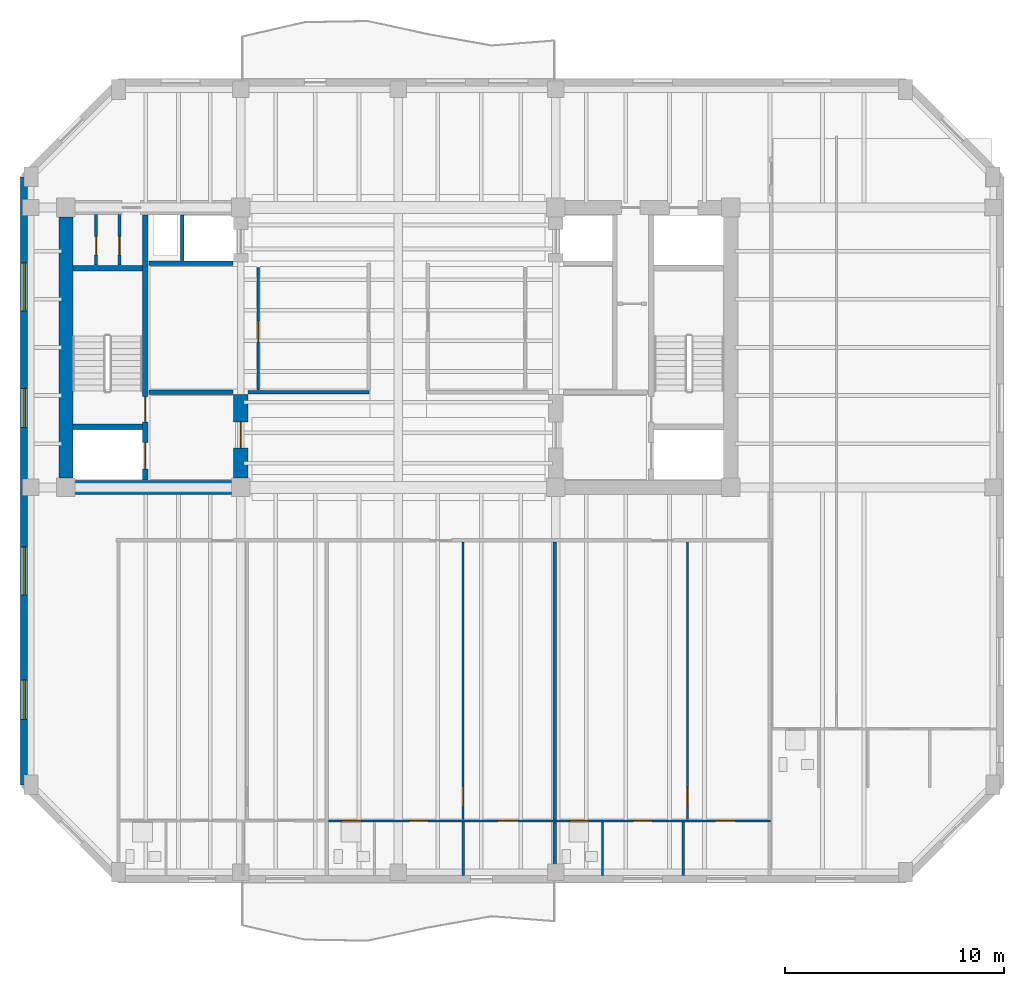
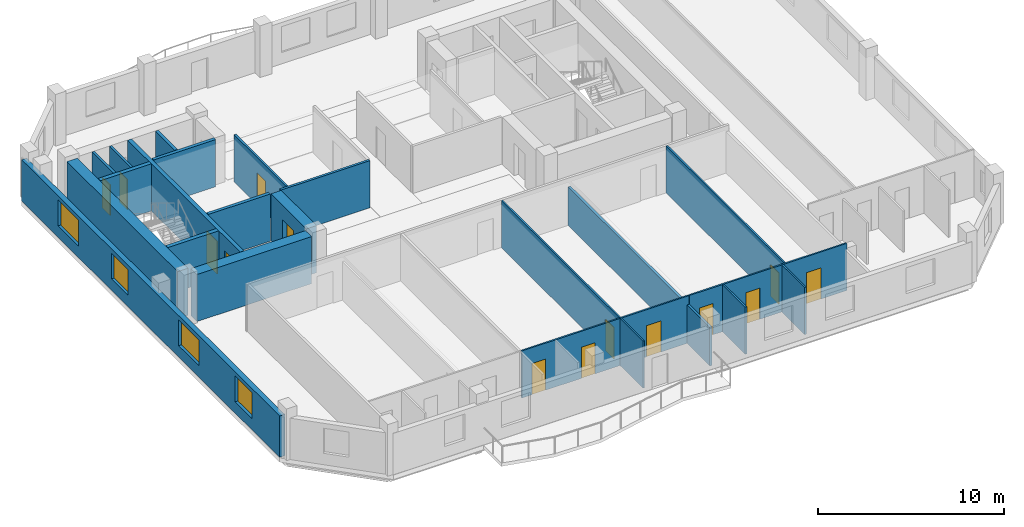
# One storey, part 3 of 9: 22 walls, 14 doors, 4 windows, 18 openings.
"""IFC4 building model written with IfcOpenShell, lengths in metres."""

import ifcopenshell
import ifcopenshell.guid

model = None  # the IFC model being written
_history = None  # IfcOwnerHistory: only IFC2X3 demands one
_inside = {}  # id of a spatial element -> (the spatial element, [elements in it])
_under = {}  # id of a project, library or spatial element -> (it, [spatial elements below it])
_declared = {}  # id of a project -> (the project, [libraries it declares])
_typed = {}  # id of a type object -> (the type object, [elements of that type])
_made_of = {}  # id of a material, layer set ... -> (it, [elements and type objects made of it])


def new_model(schema):
    """Start an empty IFC model of exactly this schema.

    Asked for "IFC4X3", IfcOpenShell would pick the latest addendum, in which some entities
    have other attributes; the version numbers below select the first issue.
    IFC2X3 requires an IfcOwnerHistory on every rooted entity: one is made here for all.
    """
    global model, _history
    if schema == "IFC4X3":
        model = ifcopenshell.file(schema_version=(4, 3, 0, 0))
    else:
        model = ifcopenshell.file(schema=schema)
    _inside.clear()
    _under.clear()
    _declared.clear()
    _typed.clear()
    _made_of.clear()
    _history = None
    if model.schema == "IFC2X3":
        org = make("IfcOrganization", Name="unknown")
        user = make(
            "IfcPersonAndOrganization",
            ThePerson=make("IfcPerson", FamilyName="unknown"),
            TheOrganization=org,
        )
        app = make(
            "IfcApplication",
            ApplicationDeveloper=org,
            Version="unknown",
            ApplicationFullName="unknown",
            ApplicationIdentifier="unknown",
        )
        _history = make(
            "IfcOwnerHistory",
            OwningUser=user,
            OwningApplication=app,
            ChangeAction="ADDED",
            CreationDate=0,
        )
    return model


def make(cls, **values):
    """One entity of the class cls with the attributes given. An attribute that is None is left unset."""
    return model.create_entity(
        cls, **{name: value for name, value in values.items() if value is not None}
    )


def rooted(cls, **values):
    """An entity with a GlobalId (a new one), such as an element, a storey or a relation."""
    return make(cls, GlobalId=ifcopenshell.guid.new(), OwnerHistory=_history, **values)


def si_unit(unit_type, name, prefix=None):
    """IfcSIUnit, for example si_unit("LENGTHUNIT", "METRE", prefix="MILLI")."""
    return make("IfcSIUnit", UnitType=unit_type, Prefix=prefix, Name=name)


def assignment(units):
    """IfcUnitAssignment: the units of a project."""
    return None if units is None else make("IfcUnitAssignment", Units=units)


def point(xyz):
    """IfcCartesianPoint."""
    return None if xyz is None else make("IfcCartesianPoint", Coordinates=xyz)


def direction(xyz):
    """IfcDirection."""
    return None if xyz is None else make("IfcDirection", DirectionRatios=xyz)


def frame(location, z_axis=None, x_axis=None):
    """IfcAxis2Placement3D, a coordinate frame: its origin and axes. An axis left out is left unset."""
    return make(
        "IfcAxis2Placement3D",
        Location=point(location),
        Axis=direction(z_axis),
        RefDirection=direction(x_axis),
    )


def frame_2d(location, x_axis=None):
    """IfcAxis2Placement2D, a coordinate frame in the plane: its origin and x axis."""
    return make(
        "IfcAxis2Placement2D", Location=point(location), RefDirection=direction(x_axis)
    )


def origin():
    """The frame at (0, 0, 0) with its axes left unset."""
    return frame((0.0, 0.0, 0.0))


def place(relative_to, where):
    """IfcLocalPlacement: puts the frame where relative to a parent placement (None: the world)."""
    return make(
        "IfcLocalPlacement", PlacementRelTo=relative_to, RelativePlacement=where
    )


def context(
    kind, dimensions, precision=None, world=None, true_north=None, identifier=None
):
    """IfcGeometricRepresentationContext, for example the 3D "Model" context."""
    return make(
        "IfcGeometricRepresentationContext",
        ContextIdentifier=identifier,
        ContextType=kind,
        CoordinateSpaceDimension=dimensions,
        Precision=precision,
        WorldCoordinateSystem=world,
        TrueNorth=true_north,
    )


def subcontext(parent, identifier, kind, view, scale=None):
    """IfcGeometricRepresentationSubContext, for example "Body" below "Model"."""
    return make(
        "IfcGeometricRepresentationSubContext",
        ContextIdentifier=identifier,
        ContextType=kind,
        ParentContext=parent,
        TargetScale=scale,
        TargetView=view,
    )


def project(units=None, contexts=None):
    """IfcProject with its units and contexts."""
    return rooted(
        "IfcProject",
        Name="project",
        RepresentationContexts=contexts,
        UnitsInContext=assignment(units),
    )


def spatial(cls, under=None, at=None, **own):
    """A site, building, storey or space (cls), placed at a placement, below another one or the project."""
    s = rooted(cls, ObjectPlacement=at, **own)
    if under is not None:
        _under.setdefault(under.id(), (under, []))[1].append(s)
    return s


def profile(cls, at=None, kind="AREA", **sizes):
    """A parametric profile (cls). Its sizes go by their IFC names, for example OverallWidth=200.0."""
    return make(cls, ProfileType=kind, Position=at, **sizes)


def rectangle(**sizes):
    """IfcRectangleProfileDef."""
    return profile("IfcRectangleProfileDef", **sizes)


def extrude(swept, where, along, depth):
    """IfcExtrudedAreaSolid: the profile swept, set in the frame where, extruded along a direction by depth."""
    return make(
        "IfcExtrudedAreaSolid",
        SweptArea=swept,
        Position=where,
        ExtrudedDirection=direction(along),
        Depth=depth,
    )


def shape(context_of_items, identifier, shape_type, items):
    """IfcShapeRepresentation: the items that make up one representation, for example the "Body"."""
    return make(
        "IfcShapeRepresentation",
        ContextOfItems=context_of_items,
        RepresentationIdentifier=identifier,
        RepresentationType=shape_type,
        Items=items,
    )


def material(Name=None, Category=None):
    """IfcMaterial."""
    return make("IfcMaterial", Name=Name, Category=Category)


def layer(
    of_material, thickness, ventilated=None, Name=None, Category=None, Priority=None
):
    """IfcMaterialLayer: one layer of a wall or slab, of a material (None: an air gap)."""
    return make(
        "IfcMaterialLayer",
        Material=of_material,
        LayerThickness=thickness,
        IsVentilated=ventilated,
        Name=Name,
        Category=Category,
        Priority=Priority,
    )


def layer_set(layers, Name=None):
    """IfcMaterialLayerSet."""
    return make("IfcMaterialLayerSet", MaterialLayers=layers, LayerSetName=Name)


def made_of(thing, what):
    """Note that an element or type object is made of a material, layer set ...; save() writes the relation."""
    if what is not None:
        _made_of.setdefault(what.id(), (what, []))[1].append(thing)
    return thing


def type_object(cls, material=None, **own):
    """A type object (cls), such as IfcWallType, which elements share."""
    return made_of(rooted(cls, **own), material)


def element(
    cls,
    number,
    at=None,
    inside=None,
    cuts=None,
    type_object=None,
    material=None,
    context=None,
    identifier="Body",
    shape_type=None,
    held_by="IfcProductDefinitionShape",
    body=None,
    shapes=None,
    **own,
):
    """One element of the class cls, such as IfcWall. Its Tag is "e" and its number.

    at: its placement. inside: the storey or other place that contains it. cuts: it is an
    opening in that element (IfcRelVoidsElement). A single representation is given by context,
    identifier, shape_type and body (its items); several are given by shapes. held_by: the class
    of the entity that holds the representations. save() writes the other relations.
    """
    e = rooted(cls, Tag="e%d" % number, ObjectPlacement=at, **own)
    if body is not None:
        shapes = [shape(context, identifier, shape_type, body)]
    if shapes is not None:
        e.Representation = make(held_by, Representations=shapes)
    if inside is not None:
        _inside.setdefault(inside.id(), (inside, []))[1].append(e)
    if cuts is not None:
        rooted(
            "IfcRelVoidsElement", RelatingBuildingElement=cuts, RelatedOpeningElement=e
        )
    if type_object is not None:
        _typed.setdefault(type_object.id(), (type_object, []))[1].append(e)
    return made_of(e, material)


def fill(opening, filler):
    """IfcRelFillsElement: the door or window that sits in an opening."""
    return rooted(
        "IfcRelFillsElement",
        RelatingOpeningElement=opening,
        RelatedBuildingElement=filler,
    )


def aggregate(whole, parts):
    """IfcRelAggregates: a whole, such as a stair, and the parts it consists of."""
    return rooted("IfcRelAggregates", RelatingObject=whole, RelatedObjects=parts)


def save(model, path):
    """Write the relations noted so far, then the file.

    IfcRelAggregates (storeys below a building ...), IfcRelContainedInSpatialStructure (elements
    in a storey), IfcRelDefinesByType, IfcRelAssociatesMaterial and IfcRelDeclares: one each for
    every whole, place, type object, material and project.
    """
    for whole, parts in _under.values():
        aggregate(whole, parts)
    for where, things in _inside.values():
        rooted(
            "IfcRelContainedInSpatialStructure",
            RelatedElements=things,
            RelatingStructure=where,
        )
    for kind, things in _typed.values():
        rooted("IfcRelDefinesByType", RelatedObjects=things, RelatingType=kind)
    for what, things in _made_of.values():
        rooted("IfcRelAssociatesMaterial", RelatedObjects=things, RelatingMaterial=what)
    for by, libraries in _declared.values():
        rooted("IfcRelDeclares", RelatingContext=by, RelatedDefinitions=libraries)
    model.write(path)


model = new_model("IFC4")

# Units and contexts
model_context = context("Model", 3, precision=1e-05, world=origin(), true_north=direction((0.0, 1.0)))
body_context = subcontext(model_context, "Body", "Model", "MODEL_VIEW")
ifc_project = project(units=[si_unit("LENGTHUNIT", "METRE"), si_unit("AREAUNIT", "SQUARE_METRE"), si_unit("VOLUMEUNIT", "CUBIC_METRE"), si_unit("PLANEANGLEUNIT", "RADIAN"), si_unit("MASSUNIT", "GRAM", prefix="KILO")], contexts=[model_context])

# Site, building, storey
site_placement = place(None, origin())
site = spatial("IfcSite", under=ifc_project, at=site_placement, CompositionType="ELEMENT")
building_placement = place(site_placement, origin())
building = spatial("IfcBuilding", under=site, at=building_placement, Name="Kranthara Brick Stack", CompositionType="ELEMENT")
storey_placement = place(building_placement, frame((0.0, 0.0, 231.300048828125)))
storey = spatial("IfcBuildingStorey", under=building, at=storey_placement, Name="L60", CompositionType="ELEMENT", Elevation=231.300048828125)

# Wall, openings, windows
ifc_material_1 = material(Name="Warm buff clay brick masonry M15", Category="masonry")
ifc_layer_1 = layer(ifc_material_1, 0.320068359375)
ifc_layer_set_1 = layer_set([ifc_layer_1], Name="Warm buff clay brick masonry M15")
wall_type_1 = type_object("IfcWallType", Name="WL-BRK-UPPR-320", PredefinedType="STANDARD", material=ifc_layer_set_1)
wall_1_placement = place(storey_placement, frame((10.8798828125, 7.199951171875, 0.0), z_axis=(0.0, 0.0, 1.0), x_axis=(0.0, 1.0, 0.0)))
wall_1 = element("IfcWall", 1, at=wall_1_placement, inside=storey, type_object=wall_type_1, Name="L60 Exterior Brick Facade Wall WEST 1", PredefinedType="STANDARD", context=body_context, shape_type="SweptSolid", body=[
    extrude(rectangle(XDim=27.800048828125, YDim=0.320068359375, at=frame_2d((13.89990234375, 0.0))), origin(), (0.0, 0.0, 1.0), 2.724853515625),
])
opening_1_placement = place(wall_1_placement, frame((2.991943359375, 0.0, 0.75)))
opening_1 = element("IfcOpeningElement", 2, at=opening_1_placement, cuts=wall_1, Name="Opening WN07", PredefinedType="OPENING", context=body_context, shape_type="SweptSolid", body=[
    extrude(rectangle(XDim=1.800048828125, YDim=1.699951171875, at=frame_2d((0.89990234375, 0.85009765625))), frame((0.0, 0.169921875, 0.0), z_axis=(0.0, -1.0, 0.0), x_axis=(1.0, 0.0, 0.0)), (0.0, 0.0, 1.0), 0.340087890625),
])
opening_2_placement = place(wall_1_placement, frame((8.68408203125, 0.0, 0.75)))
opening_2 = element("IfcOpeningElement", 3, at=opening_2_placement, cuts=wall_1, Name="Opening WN08", PredefinedType="OPENING", context=body_context, shape_type="SweptSolid", body=[
    extrude(rectangle(XDim=2.199951171875, YDim=1.699951171875, at=frame_2d((1.10009765625, 0.85009765625))), frame((0.0, 0.169921875, 0.0), z_axis=(0.0, -1.0, 0.0), x_axis=(1.0, 0.0, 0.0)), (0.0, 0.0, 1.0), 0.340087890625),
])
opening_3_placement = place(wall_1_placement, frame((16.327880859375, 0.0, 0.75)))
opening_3 = element("IfcOpeningElement", 4, at=opening_3_placement, cuts=wall_1, Name="Opening WN07", PredefinedType="OPENING", context=body_context, shape_type="SweptSolid", body=[
    extrude(rectangle(XDim=1.800048828125, YDim=1.699951171875, at=frame_2d((0.89990234375, 0.85009765625))), frame((0.0, 0.169921875, 0.0), z_axis=(0.0, -1.0, 0.0), x_axis=(1.0, 0.0, 0.0)), (0.0, 0.0, 1.0), 0.340087890625),
])
opening_4_placement = place(wall_1_placement, frame((21.672119140625, 0.0, 0.75)))
opening_4 = element("IfcOpeningElement", 5, at=opening_4_placement, cuts=wall_1, Name="Opening WN08", PredefinedType="OPENING", context=body_context, shape_type="SweptSolid", body=[
    extrude(rectangle(XDim=2.199951171875, YDim=1.699951171875, at=frame_2d((1.10009765625, 0.85009765625))), frame((0.0, 0.169921875, 0.0), z_axis=(0.0, -1.0, 0.0), x_axis=(1.0, 0.0, 0.0)), (0.0, 0.0, 1.0), 0.340087890625),
])
ifc_material_2 = material(Name="Double-glazed low-E solar control glass", Category="glass")
window_type_1 = type_object("IfcWindowType", Name="WN-RES-1800x1850", PartitioningType="DOUBLE_PANEL_VERTICAL", PredefinedType="WINDOW", material=ifc_material_2)
window_1_placement = place(opening_1_placement, origin())
window_1 = element("IfcWindow", 6, at=window_1_placement, inside=storey, type_object=window_type_1, Name="L60 West Deep-Set Brick Window 01", OverallHeight=1.699951171875, OverallWidth=1.800048828125, PartitioningType="SINGLE_PANEL", PredefinedType="WINDOW", context=body_context, shape_type="SweptSolid", body=[
    extrude(rectangle(XDim=1.800048828125, YDim=1.699951171875, at=frame_2d((0.89990234375, 0.85009765625))), frame((0.0, -0.010009765625, 0.0), z_axis=(0.0, -1.0, 0.0), x_axis=(1.0, 0.0, 0.0)), (0.0, 0.0, 1.0), 0.06005859375),
])
fill(opening_1, window_1)
window_2_placement = place(opening_3_placement, origin())
window_2 = element("IfcWindow", 7, at=window_2_placement, inside=storey, type_object=window_type_1, Name="L60 West Deep-Set Brick Window 03", OverallHeight=1.699951171875, OverallWidth=1.800048828125, PartitioningType="SINGLE_PANEL", PredefinedType="WINDOW", context=body_context, shape_type="SweptSolid", body=[
    extrude(rectangle(XDim=1.800048828125, YDim=1.699951171875, at=frame_2d((0.89990234375, 0.85009765625))), frame((0.0, -0.010009765625, 0.0), z_axis=(0.0, -1.0, 0.0), x_axis=(1.0, 0.0, 0.0)), (0.0, 0.0, 1.0), 0.06005859375),
])
fill(opening_3, window_2)
ifc_material_3 = material(Name="Double-glazed low-E solar control glass", Category="glass")
window_type_2 = type_object("IfcWindowType", Name="WN-RES-2200x1850", PartitioningType="TRIPLE_PANEL_VERTICAL", PredefinedType="WINDOW", material=ifc_material_3)
window_3_placement = place(opening_2_placement, origin())
window_3 = element("IfcWindow", 8, at=window_3_placement, inside=storey, type_object=window_type_2, Name="L60 West Deep-Set Brick Window 02", OverallHeight=1.699951171875, OverallWidth=2.199951171875, PartitioningType="SINGLE_PANEL", PredefinedType="WINDOW", context=body_context, shape_type="SweptSolid", body=[
    extrude(rectangle(XDim=2.199951171875, YDim=1.699951171875, at=frame_2d((1.10009765625, 0.85009765625))), frame((0.0, -0.010009765625, 0.0), z_axis=(0.0, -1.0, 0.0), x_axis=(1.0, 0.0, 0.0)), (0.0, 0.0, 1.0), 0.06005859375),
])
fill(opening_2, window_3)
window_4_placement = place(opening_4_placement, origin())
window_4 = element("IfcWindow", 9, at=window_4_placement, inside=storey, type_object=window_type_2, Name="L60 West Deep-Set Brick Window 04", OverallHeight=1.699951171875, OverallWidth=2.199951171875, PartitioningType="SINGLE_PANEL", PredefinedType="WINDOW", context=body_context, shape_type="SweptSolid", body=[
    extrude(rectangle(XDim=2.199951171875, YDim=1.699951171875, at=frame_2d((1.10009765625, 0.85009765625))), frame((0.0, -0.010009765625, 0.0), z_axis=(0.0, -1.0, 0.0), x_axis=(1.0, 0.0, 0.0)), (0.0, 0.0, 1.0), 0.06005859375),
])
fill(opening_4, window_4)

# Wall, openings, doors
ifc_material_4 = material(Name="Concrete C50/60", Category="concrete")
ifc_layer_2 = layer(ifc_material_4, 0.25)
ifc_layer_set_2 = layer_set([ifc_layer_2], Name="Concrete C50/60")
wall_type_2 = type_object("IfcWallType", Name="WL-CORE-250", PredefinedType="SHEAR", material=ifc_layer_set_2)
wall_2_placement = place(storey_placement, frame((16.43505859375, 21.135009765625, 0.0), z_axis=(0.0, 0.0, 1.0), x_axis=(0.0, 1.0, 0.0)))
wall_2 = element("IfcWall", 10, at=wall_2_placement, inside=storey, type_object=wall_type_2, Name="L60 West Core Stair Bearing Spine Wall", PredefinedType="SHEAR", context=body_context, shape_type="SweptSolid", body=[
    extrude(rectangle(XDim=12.1298828125, YDim=0.25, at=frame_2d((6.06494140625, 0.0))), origin(), (0.0, 0.0, 1.0), 3.099853515625),
])
opening_5_placement = place(wall_2_placement, frame((0.514892578125, 0.0, 0.0)))
opening_5 = element("IfcOpeningElement", 11, at=opening_5_placement, cuts=wall_2, Name="Opening LD01", PredefinedType="OPENING", context=body_context, shape_type="SweptSolid", body=[
    extrude(rectangle(XDim=1.199951171875, YDim=2.14990234375, at=frame_2d((0.60009765625, 1.074951171875))), frame((0.0, 0.135009765625, 0.0), z_axis=(0.0, -1.0, 0.0), x_axis=(1.0, 0.0, 0.0)), (0.0, 0.0, 1.0), 0.27001953125),
])
opening_6_placement = place(wall_2_placement, frame((2.6650390625, 0.0, 0.0)))
opening_6 = element("IfcOpeningElement", 12, at=opening_6_placement, cuts=wall_2, Name="Opening D05", PredefinedType="OPENING", context=body_context, shape_type="SweptSolid", body=[
    extrude(rectangle(XDim=1.14990234375, YDim=2.14990234375, at=frame_2d((0.574951171875, 1.074951171875))), frame((0.0, 0.135009765625, 0.0), z_axis=(0.0, -1.0, 0.0), x_axis=(1.0, 0.0, 0.0)), (0.0, 0.0, 1.0), 0.27001953125),
])
ifc_material_5 = material(Name="Stainless steel sliding landing door", Category="steel")
door_type_1 = type_object("IfcDoorType", Name="DR-LD-FF1200", OperationType="DOUBLE_DOOR_SLIDING", PredefinedType="DOOR", material=ifc_material_5)
door_1_placement = place(opening_5_placement, origin())
door_1 = element("IfcDoor", 13, at=door_1_placement, inside=storey, type_object=door_type_1, Name="L60 Firefighting Lift FF-01 Landing Door", OperationType="DOUBLE_DOOR_SLIDING", OverallHeight=2.14990234375, OverallWidth=1.199951171875, PredefinedType="DOOR", context=body_context, shape_type="SweptSolid", body=[
    extrude(rectangle(XDim=1.199951171875, YDim=2.14990234375, at=frame_2d((0.60009765625, 1.074951171875))), frame((0.0, 0.02490234375, 0.0), z_axis=(0.0, -1.0, 0.0), x_axis=(1.0, 0.0, 0.0)), (0.0, 0.0, 1.0), 0.050048828125),
])
fill(opening_5, door_1)
ifc_material_6 = material(Name="Solid-core hardwood timber leaf in steel frame", Category="steel")
door_type_2 = type_object("IfcDoorType", Name="DR-ST-1150", OperationType="NOTDEFINED", PredefinedType="DOOR", material=ifc_material_6)
door_2_placement = place(opening_6_placement, origin())
door_2 = element("IfcDoor", 14, at=door_2_placement, inside=storey, type_object=door_type_2, Name="L60 Exit Stair ST01 Door", OperationType="SINGLE_SWING_RIGHT", OverallHeight=2.14990234375, OverallWidth=1.14990234375, PredefinedType="DOOR", context=body_context, shape_type="SweptSolid", body=[
    extrude(rectangle(XDim=1.14990234375, YDim=2.14990234375, at=frame_2d((0.574951171875, 1.074951171875))), frame((0.0, 0.02490234375, 0.0), z_axis=(0.0, -1.0, 0.0), x_axis=(1.0, 0.0, 0.0)), (0.0, 0.0, 1.0), 0.050048828125),
])
fill(opening_6, door_2)

# Walls
for number, where, z_axis, x_axis, name in (
    (15, (13.135009765625, 23.570068359375, 0.0), (0.0, 0.0, 1.0), (1.0, 0.0, 0.0), "L60 West Stairwell Bearing Wall WFF"),
    (16, (13.135009765625, 30.830078125, 0.0), (0.0, 0.0, 1.0), (1.0, 0.0, 0.0), "L60 West Stairwell Bearing Wall WST"),
):
    element("IfcWall", number, at=place(storey_placement, frame(where, z_axis=z_axis, x_axis=x_axis)), inside=storey, type_object=wall_type_2, Name=name, PredefinedType="SHEAR", context=body_context, shape_type="SweptSolid", body=[
        extrude(rectangle(XDim=3.175048828125, YDim=0.25, at=frame_2d((1.58740234375, 0.0))), origin(), (0.0, 0.0, 1.0), 3.099853515625),
    ])
ifc_material_7 = material(Name="Concrete C60/75", Category="concrete")
ifc_layer_3 = layer(ifc_material_7, 0.64990234375)
ifc_layer_set_3 = layer_set([ifc_layer_3], Name="Concrete C60/75")
wall_type_3 = type_object("IfcWallType", Name="WL-CORE-650", PredefinedType="SHEAR", material=ifc_layer_set_3)
wall_3_placement = place(storey_placement, frame((12.800048828125, 21.22998046875, 0.0), z_axis=(0.0, 0.0, 1.0), x_axis=(0.0, 1.0, 0.0)))
element("IfcWall", 17, at=wall_3_placement, inside=storey, type_object=wall_type_3, Name="L60 West Core Shear Wall West", PredefinedType="SHEAR", context=body_context, shape_type="SweptSolid", body=[
    extrude(rectangle(XDim=11.93994140625, YDim=0.64990234375, at=frame_2d((5.969970703125, 0.0))), origin(), (0.0, 0.0, 1.0), 3.099853515625),
])
wall_4_placement = place(storey_placement, frame((13.22998046875, 20.800048828125, 0.0), z_axis=(0.0, 0.0, 1.0), x_axis=(1.0, 0.0, 0.0)))
element("IfcWall", 18, at=wall_4_placement, inside=storey, type_object=wall_type_3, Name="L60 West Core Shear Wall South", PredefinedType="SHEAR", context=body_context, shape_type="SweptSolid", body=[
    extrude(rectangle(XDim=7.14013671875, YDim=0.64990234375, at=frame_2d((3.570068359375, 0.0))), origin(), (0.0, 0.0, 1.0), 3.099853515625),
])

# Wall, opening, door
wall_5_placement = place(storey_placement, frame((20.800048828125, 21.22998046875, 0.0), z_axis=(0.0, 0.0, 1.0), x_axis=(0.0, 1.0, 0.0)))
wall_5 = element("IfcWall", 19, at=wall_5_placement, inside=storey, type_object=wall_type_3, Name="L60 West Core Lobby Shear Wall", PredefinedType="SHEAR", context=body_context, shape_type="SweptSolid", body=[
    extrude(rectangle(XDim=3.820068359375, YDim=0.64990234375, at=frame_2d((1.91015625, 0.0))), origin(), (0.0, 0.0, 1.0), 3.099853515625),
])
opening_7_placement = place(wall_5_placement, frame((1.3701171875, 0.0, 0.0)))
opening_7 = element("IfcOpeningElement", 20, at=opening_7_placement, cuts=wall_5, Name="Opening D06", PredefinedType="OPENING", context=body_context, shape_type="SweptSolid", body=[
    extrude(rectangle(XDim=1.199951171875, YDim=2.14990234375, at=frame_2d((0.60009765625, 1.074951171875))), frame((0.0, 0.3349609375, 0.0), z_axis=(0.0, -1.0, 0.0), x_axis=(1.0, 0.0, 0.0)), (0.0, 0.0, 1.0), 0.669921875),
])
ifc_material_8 = material(Name="Solid-core hardwood timber leaf in steel frame", Category="steel")
door_type_3 = type_object("IfcDoorType", Name="DR-FFL-1200", OperationType="NOTDEFINED", PredefinedType="DOOR", material=ifc_material_8)
door_3_placement = place(opening_7_placement, origin())
door_3 = element("IfcDoor", 21, at=door_3_placement, inside=storey, type_object=door_type_3, Name="L60 West Firefighting Lobby Door", OperationType="SINGLE_SWING_LEFT", OverallHeight=2.14990234375, OverallWidth=1.199951171875, PredefinedType="DOOR", context=body_context, shape_type="SweptSolid", body=[
    extrude(rectangle(XDim=1.199951171875, YDim=2.14990234375, at=frame_2d((0.60009765625, 1.074951171875))), frame((0.0, 0.02490234375, 0.0), z_axis=(0.0, -1.0, 0.0), x_axis=(1.0, 0.0, 0.0)), (0.0, 0.0, 1.0), 0.050048828125),
])
fill(opening_7, door_3)

# Wall, openings, doors
ifc_material_9 = material(Name="Moisture-resistant wet-room partition", Category="other")
ifc_layer_4 = layer(ifc_material_9, 0.10009765625)
ifc_layer_set_4 = layer_set([ifc_layer_4], Name="Moisture-resistant wet-room partition")
wall_type_4 = type_object("IfcWallType", Name="WL-PART-100", PredefinedType="PARTITIONING", material=ifc_layer_set_4)
wall_6_placement = place(storey_placement, frame((24.81005859375, 5.550048828125, 0.0), z_axis=(0.0, 0.0, 1.0), x_axis=(1.0, 0.0, 0.0)))
wall_6 = element("IfcWall", 22, at=wall_6_placement, inside=storey, type_object=wall_type_4, Name="L60 Interior Partition 017", PredefinedType="PARTITIONING", context=body_context, shape_type="SweptSolid", body=[
    extrude(rectangle(XDim=10.383056640625, YDim=0.10009765625, at=frame_2d((5.19140625, 0.0))), origin(), (0.0, 0.0, 1.0), 3.099853515625),
])
opening_8_placement = place(wall_6_placement, frame((0.625, 0.0, 0.0)))
opening_8 = element("IfcOpeningElement", 23, at=opening_8_placement, cuts=wall_6, Name="Opening D17", PredefinedType="OPENING", context=body_context, shape_type="SweptSolid", body=[
    extrude(rectangle(XDim=0.85009765625, YDim=2.050048828125, at=frame_2d((0.425048828125, 1.02490234375))), frame((0.0, 0.06005859375, 0.0), z_axis=(0.0, -1.0, 0.0), x_axis=(1.0, 0.0, 0.0)), (0.0, 0.0, 1.0), 0.1201171875),
])
opening_9_placement = place(wall_6_placement, frame((3.7041015625, 0.0, 0.0)))
opening_9 = element("IfcOpeningElement", 24, at=opening_9_placement, cuts=wall_6, Name="Opening D16", PredefinedType="OPENING", context=body_context, shape_type="SweptSolid", body=[
    extrude(rectangle(XDim=0.85009765625, YDim=2.050048828125, at=frame_2d((0.425048828125, 1.02490234375))), frame((0.0, 0.06005859375, 0.0), z_axis=(0.0, -1.0, 0.0), x_axis=(1.0, 0.0, 0.0)), (0.0, 0.0, 1.0), 0.1201171875),
])
opening_10_placement = place(wall_6_placement, frame((7.760986328125, 0.0, 0.0)))
opening_10 = element("IfcOpeningElement", 25, at=opening_10_placement, cuts=wall_6, Name="Opening D15", PredefinedType="OPENING", context=body_context, shape_type="SweptSolid", body=[
    extrude(rectangle(XDim=0.89990234375, YDim=2.050048828125, at=frame_2d((0.449951171875, 1.02490234375))), frame((0.0, 0.06005859375, 0.0), z_axis=(0.0, -1.0, 0.0), x_axis=(1.0, 0.0, 0.0)), (0.0, 0.0, 1.0), 0.1201171875),
])
ifc_material_10 = material(Name="Solid-core hardwood timber leaf in steel frame", Category="steel")
door_type_4 = type_object("IfcDoorType", Name="DR-INT-850", OperationType="NOTDEFINED", PredefinedType="DOOR", material=ifc_material_10)
door_4_placement = place(opening_9_placement, origin())
door_4 = element("IfcDoor", 26, at=door_4_placement, inside=storey, type_object=door_type_4, Name="L60 Unit L60B Kitchen 16", OperationType="SINGLE_SWING_RIGHT", OverallHeight=2.050048828125, OverallWidth=0.85009765625, PredefinedType="DOOR", context=body_context, shape_type="SweptSolid", body=[
    extrude(rectangle(XDim=0.85009765625, YDim=2.050048828125, at=frame_2d((0.425048828125, 1.02490234375))), frame((0.0, 0.02490234375, 0.0), z_axis=(0.0, -1.0, 0.0), x_axis=(1.0, 0.0, 0.0)), (0.0, 0.0, 1.0), 0.050048828125),
])
fill(opening_9, door_4)
ifc_material_11 = material(Name="Solid-core hardwood timber leaf in steel frame", Category="steel")
door_type_5 = type_object("IfcDoorType", Name="DR-INT-900", OperationType="NOTDEFINED", PredefinedType="DOOR", material=ifc_material_11)
door_5_placement = place(opening_10_placement, origin())
door_5 = element("IfcDoor", 27, at=door_5_placement, inside=storey, type_object=door_type_5, Name="L60 Unit L60B Bedroom 17", OperationType="SINGLE_SWING_LEFT", OverallHeight=2.050048828125, OverallWidth=0.89990234375, PredefinedType="DOOR", context=body_context, shape_type="SweptSolid", body=[
    extrude(rectangle(XDim=0.89990234375, YDim=2.050048828125, at=frame_2d((0.449951171875, 1.02490234375))), frame((0.0, 0.02490234375, 0.0), z_axis=(0.0, -1.0, 0.0), x_axis=(1.0, 0.0, 0.0)), (0.0, 0.0, 1.0), 0.050048828125),
])
fill(opening_10, door_5)
ifc_material_12 = material(Name="Solid-core hardwood timber leaf in steel frame", Category="steel")
door_type_6 = type_object("IfcDoorType", Name="DR-WET-850", OperationType="NOTDEFINED", PredefinedType="DOOR", material=ifc_material_12)
door_6_placement = place(opening_8_placement, origin())
door_6 = element("IfcDoor", 28, at=door_6_placement, inside=storey, type_object=door_type_6, Name="L60 Unit L60B Bathroom 15", OperationType="SINGLE_SWING_LEFT", OverallHeight=2.050048828125, OverallWidth=0.85009765625, PredefinedType="DOOR", context=body_context, shape_type="SweptSolid", body=[
    extrude(rectangle(XDim=0.85009765625, YDim=2.050048828125, at=frame_2d((0.425048828125, 1.02490234375))), frame((0.0, 0.02490234375, 0.0), z_axis=(0.0, -1.0, 0.0), x_axis=(1.0, 0.0, 0.0)), (0.0, 0.0, 1.0), 0.050048828125),
])
fill(opening_8, door_6)

# Wall, opening, door
wall_7_placement = place(storey_placement, frame((30.966064453125, 5.60498046875, 0.0), z_axis=(0.0, 0.0, 1.0), x_axis=(0.0, 1.0, 0.0)))
wall_7 = element("IfcWall", 29, at=wall_7_placement, inside=storey, type_object=wall_type_4, Name="L60 Interior Partition 018", PredefinedType="PARTITIONING", context=body_context, shape_type="SweptSolid", body=[
    extrude(rectangle(XDim=12.695068359375, YDim=0.10009765625, at=frame_2d((6.34765625, 0.0))), origin(), (0.0, 0.0, 1.0), 3.099853515625),
])
opening_11_placement = place(wall_7_placement, frame((0.60498046875, 0.0, 0.0)))
opening_11 = element("IfcOpeningElement", 30, at=opening_11_placement, cuts=wall_7, Name="Opening D15", PredefinedType="OPENING", context=body_context, shape_type="SweptSolid", body=[
    extrude(rectangle(XDim=0.89990234375, YDim=2.050048828125, at=frame_2d((0.449951171875, 1.02490234375))), frame((0.0, 0.06005859375, 0.0), z_axis=(0.0, -1.0, 0.0), x_axis=(1.0, 0.0, 0.0)), (0.0, 0.0, 1.0), 0.1201171875),
])
door_7_placement = place(opening_11_placement, origin())
door_7 = element("IfcDoor", 31, at=door_7_placement, inside=storey, type_object=door_type_5, Name="L60 Unit L60B Study 14", OperationType="SINGLE_SWING_RIGHT", OverallHeight=2.050048828125, OverallWidth=0.89990234375, PredefinedType="DOOR", context=body_context, shape_type="SweptSolid", body=[
    extrude(rectangle(XDim=0.89990234375, YDim=2.050048828125, at=frame_2d((0.449951171875, 1.02490234375))), frame((0.0, 0.02490234375, 0.0), z_axis=(0.0, -1.0, 0.0), x_axis=(1.0, 0.0, 0.0)), (0.0, 0.0, 1.0), 0.050048828125),
])
fill(opening_11, door_7)

# Wall
wall_8_placement = place(storey_placement, frame((30.968017578125, 3.044921875, 0.0), z_axis=(0.0, 0.0, 1.0), x_axis=(0.0, 1.0, 0.0)))
element("IfcWall", 32, at=wall_8_placement, inside=storey, type_object=wall_type_4, Name="L60 Interior Partition 020", PredefinedType="PARTITIONING", context=body_context, shape_type="SweptSolid", body=[
    extrude(rectangle(XDim=2.4501953125, YDim=0.10009765625, at=frame_2d((1.22509765625, 0.0))), origin(), (0.0, 0.0, 1.0), 3.099853515625),
])

# Wall, openings, doors
wall_9_placement = place(storey_placement, frame((35.23291015625, 5.550048828125, 0.0), z_axis=(0.0, 0.0, 1.0), x_axis=(1.0, 0.0, 0.0)))
wall_9 = element("IfcWall", 33, at=wall_9_placement, inside=storey, type_object=wall_type_4, Name="L60 Interior Partition 022", PredefinedType="PARTITIONING", context=body_context, shape_type="SweptSolid", body=[
    extrude(rectangle(XDim=9.787109375, YDim=0.10009765625, at=frame_2d((4.8935546875, 0.0))), origin(), (0.0, 0.0, 1.0), 3.099853515625),
])
opening_12_placement = place(wall_9_placement, frame((0.625, 0.0, 0.0)))
opening_12 = element("IfcOpeningElement", 34, at=opening_12_placement, cuts=wall_9, Name="Opening D17", PredefinedType="OPENING", context=body_context, shape_type="SweptSolid", body=[
    extrude(rectangle(XDim=0.85009765625, YDim=2.050048828125, at=frame_2d((0.425048828125, 1.02490234375))), frame((0.0, 0.06005859375, 0.0), z_axis=(0.0, -1.0, 0.0), x_axis=(1.0, 0.0, 0.0)), (0.0, 0.0, 1.0), 0.1201171875),
])
opening_13_placement = place(wall_9_placement, frame((3.52490234375, 0.0, 0.0)))
opening_13 = element("IfcOpeningElement", 35, at=opening_13_placement, cuts=wall_9, Name="Opening D16", PredefinedType="OPENING", context=body_context, shape_type="SweptSolid", body=[
    extrude(rectangle(XDim=0.85009765625, YDim=2.050048828125, at=frame_2d((0.425048828125, 1.02490234375))), frame((0.0, 0.06005859375, 0.0), z_axis=(0.0, -1.0, 0.0), x_axis=(1.0, 0.0, 0.0)), (0.0, 0.0, 1.0), 0.1201171875),
])
opening_14_placement = place(wall_9_placement, frame((7.283935546875, 0.0, 0.0)))
opening_14 = element("IfcOpeningElement", 36, at=opening_14_placement, cuts=wall_9, Name="Opening D15", PredefinedType="OPENING", context=body_context, shape_type="SweptSolid", body=[
    extrude(rectangle(XDim=0.89990234375, YDim=2.050048828125, at=frame_2d((0.449951171875, 1.02490234375))), frame((0.0, 0.06005859375, 0.0), z_axis=(0.0, -1.0, 0.0), x_axis=(1.0, 0.0, 0.0)), (0.0, 0.0, 1.0), 0.1201171875),
])
door_8_placement = place(opening_13_placement, origin())
door_8 = element("IfcDoor", 37, at=door_8_placement, inside=storey, type_object=door_type_4, Name="L60 Unit L60C Kitchen 21", OperationType="SINGLE_SWING_LEFT", OverallHeight=2.050048828125, OverallWidth=0.85009765625, PredefinedType="DOOR", context=body_context, shape_type="SweptSolid", body=[
    extrude(rectangle(XDim=0.85009765625, YDim=2.050048828125, at=frame_2d((0.425048828125, 1.02490234375))), frame((0.0, 0.02490234375, 0.0), z_axis=(0.0, -1.0, 0.0), x_axis=(1.0, 0.0, 0.0)), (0.0, 0.0, 1.0), 0.050048828125),
])
fill(opening_13, door_8)
door_9_placement = place(opening_14_placement, origin())
door_9 = element("IfcDoor", 38, at=door_9_placement, inside=storey, type_object=door_type_5, Name="L60 Unit L60C Bedroom 22", OperationType="SINGLE_SWING_RIGHT", OverallHeight=2.050048828125, OverallWidth=0.89990234375, PredefinedType="DOOR", context=body_context, shape_type="SweptSolid", body=[
    extrude(rectangle(XDim=0.89990234375, YDim=2.050048828125, at=frame_2d((0.449951171875, 1.02490234375))), frame((0.0, 0.02490234375, 0.0), z_axis=(0.0, -1.0, 0.0), x_axis=(1.0, 0.0, 0.0)), (0.0, 0.0, 1.0), 0.050048828125),
])
fill(opening_14, door_9)
door_10_placement = place(opening_12_placement, origin())
door_10 = element("IfcDoor", 39, at=door_10_placement, inside=storey, type_object=door_type_6, Name="L60 Unit L60C Bathroom 20", OperationType="SINGLE_SWING_RIGHT", OverallHeight=2.050048828125, OverallWidth=0.85009765625, PredefinedType="DOOR", context=body_context, shape_type="SweptSolid", body=[
    extrude(rectangle(XDim=0.85009765625, YDim=2.050048828125, at=frame_2d((0.425048828125, 1.02490234375))), frame((0.0, 0.02490234375, 0.0), z_axis=(0.0, -1.0, 0.0), x_axis=(1.0, 0.0, 0.0)), (0.0, 0.0, 1.0), 0.050048828125),
])
fill(opening_12, door_10)

# Wall, opening, door
wall_10_placement = place(storey_placement, frame((41.22705078125, 5.60498046875, 0.0), z_axis=(0.0, 0.0, 1.0), x_axis=(0.0, 1.0, 0.0)))
wall_10 = element("IfcWall", 40, at=wall_10_placement, inside=storey, type_object=wall_type_4, Name="L60 Interior Partition 023", PredefinedType="PARTITIONING", context=body_context, shape_type="SweptSolid", body=[
    extrude(rectangle(XDim=12.695068359375, YDim=0.10009765625, at=frame_2d((6.34765625, 0.0))), origin(), (0.0, 0.0, 1.0), 3.099853515625),
])
opening_15_placement = place(wall_10_placement, frame((0.60498046875, 0.0, 0.0)))
opening_15 = element("IfcOpeningElement", 41, at=opening_15_placement, cuts=wall_10, Name="Opening D15", PredefinedType="OPENING", context=body_context, shape_type="SweptSolid", body=[
    extrude(rectangle(XDim=0.89990234375, YDim=2.050048828125, at=frame_2d((0.449951171875, 1.02490234375))), frame((0.0, 0.06005859375, 0.0), z_axis=(0.0, -1.0, 0.0), x_axis=(1.0, 0.0, 0.0)), (0.0, 0.0, 1.0), 0.1201171875),
])
door_11_placement = place(opening_15_placement, origin())
door_11 = element("IfcDoor", 42, at=door_11_placement, inside=storey, type_object=door_type_5, Name="L60 Unit L60C Study 19", OperationType="SINGLE_SWING_LEFT", OverallHeight=2.050048828125, OverallWidth=0.89990234375, PredefinedType="DOOR", context=body_context, shape_type="SweptSolid", body=[
    extrude(rectangle(XDim=0.89990234375, YDim=2.050048828125, at=frame_2d((0.449951171875, 1.02490234375))), frame((0.0, 0.02490234375, 0.0), z_axis=(0.0, -1.0, 0.0), x_axis=(1.0, 0.0, 0.0)), (0.0, 0.0, 1.0), 0.050048828125),
])
fill(opening_15, door_11)

# Walls
for number, where, z_axis, x_axis, name in (
    (43, (37.3330078125, 3.044921875, 0.0), (0.0, 0.0, 1.0), (0.0, 1.0, 0.0), "L60 Interior Partition 024"),
    (44, (41.032958984375, 3.044921875, 0.0), (0.0, 0.0, 1.0), (0.0, 1.0, 0.0), "L60 Interior Partition 025"),
):
    element("IfcWall", number, at=place(storey_placement, frame(where, z_axis=z_axis, x_axis=x_axis)), inside=storey, type_object=wall_type_4, Name=name, PredefinedType="PARTITIONING", context=body_context, shape_type="SweptSolid", body=[
        extrude(rectangle(XDim=2.4501953125, YDim=0.10009765625, at=frame_2d((1.22509765625, 0.0))), origin(), (0.0, 0.0, 1.0), 3.099853515625),
    ])

# Wall, opening, door
ifc_material_13 = material(Name="Acoustic gypsum plasterboard partition", Category="other")
ifc_layer_5 = layer(ifc_material_13, 0.1201171875)
ifc_layer_set_5 = layer_set([ifc_layer_5], Name="Acoustic gypsum plasterboard partition")
wall_type_5 = type_object("IfcWallType", Name="WL-PART-120", PredefinedType="PARTITIONING", material=ifc_layer_set_5)
wall_11_placement = place(storey_placement, frame((21.60009765625, 25.25, 0.0), z_axis=(0.0, 0.0, 1.0), x_axis=(0.0, 1.0, 0.0)))
wall_11 = element("IfcWall", 45, at=wall_11_placement, inside=storey, type_object=wall_type_5, Name="L60 Interior Partition 007", PredefinedType="PARTITIONING", context=body_context, shape_type="SweptSolid", body=[
    extrude(rectangle(XDim=5.60009765625, YDim=0.1201171875, at=frame_2d((2.800048828125, 0.0))), origin(), (0.0, 0.0, 1.0), 3.099853515625),
])
opening_16_placement = place(wall_11_placement, frame((2.199951171875, 0.0, 0.0)))
opening_16 = element("IfcOpeningElement", 46, at=opening_16_placement, cuts=wall_11, Name="Opening D14", PredefinedType="OPENING", context=body_context, shape_type="SweptSolid", body=[
    extrude(rectangle(XDim=0.949951171875, YDim=2.10009765625, at=frame_2d((0.47509765625, 1.050048828125))), frame((0.0, 0.070068359375, 0.0), z_axis=(0.0, -1.0, 0.0), x_axis=(1.0, 0.0, 0.0)), (0.0, 0.0, 1.0), 0.14013671875),
])
ifc_material_14 = material(Name="Solid-core hardwood timber leaf in steel frame", Category="steel")
door_type_7 = type_object("IfcDoorType", Name="DR-INT-950", OperationType="NOTDEFINED", PredefinedType="DOOR", material=ifc_material_14)
door_12_placement = place(opening_16_placement, origin())
door_12 = element("IfcDoor", 47, at=door_12_placement, inside=storey, type_object=door_type_7, Name="L60 Inner Archive Door 04", OperationType="SINGLE_SWING_RIGHT", OverallHeight=2.10009765625, OverallWidth=0.949951171875, PredefinedType="DOOR", context=body_context, shape_type="SweptSolid", body=[
    extrude(rectangle(XDim=0.949951171875, YDim=2.10009765625, at=frame_2d((0.47509765625, 1.050048828125))), frame((0.0, 0.02490234375, 0.0), z_axis=(0.0, -1.0, 0.0), x_axis=(1.0, 0.0, 0.0)), (0.0, 0.0, 1.0), 0.050048828125),
])
fill(opening_16, door_12)

ifc_material_15 = material(Name="Fire-rated gypsum board partition", Category="other")
ifc_layer_6 = layer(ifc_material_15, 0.14990234375)
ifc_layer_set_6 = layer_set([ifc_layer_6], Name="Fire-rated gypsum board partition")
wall_type_6 = type_object("IfcWallType", Name="WL-PART-150", PredefinedType="PARTITIONING", material=ifc_layer_set_6)
wall_12_placement = place(storey_placement, frame((14.179931640625, 30.9599609375, 0.0), z_axis=(0.0, 0.0, 1.0), x_axis=(0.0, 1.0, 0.0)))
wall_12 = element("IfcWall", 48, at=wall_12_placement, inside=storey, type_object=wall_type_6, Name="L60 Interior Partition 001", PredefinedType="PARTITIONING", context=body_context, shape_type="SweptSolid", body=[
    extrude(rectangle(XDim=2.31005859375, YDim=0.14990234375, at=frame_2d((1.155029296875, 0.0))), origin(), (0.0, 0.0, 1.0), 3.099853515625),
])
opening_17_placement = place(wall_12_placement, frame((0.469970703125, 0.0, 0.0)))
opening_17 = element("IfcOpeningElement", 49, at=opening_17_placement, cuts=wall_12, Name="Opening D10", PredefinedType="OPENING", context=body_context, shape_type="SweptSolid", body=[
    extrude(rectangle(XDim=0.85009765625, YDim=2.02001953125, at=frame_2d((0.425048828125, 1.010009765625))), frame((0.0, 0.0849609375, 0.0), z_axis=(0.0, -1.0, 0.0), x_axis=(1.0, 0.0, 0.0)), (0.0, 0.0, 1.0), 0.169921875),
])
ifc_material_16 = material(Name="Solid-core hardwood timber leaf in steel frame", Category="steel")
door_type_8 = type_object("IfcDoorType", Name="DR-RSR-850", OperationType="NOTDEFINED", PredefinedType="DOOR", material=ifc_material_16)
door_13_placement = place(opening_17_placement, origin())
door_13 = element("IfcDoor", 50, at=door_13_placement, inside=storey, type_object=door_type_8, Name="L60 Riser Door A 01", OperationType="SINGLE_SWING_LEFT", OverallHeight=2.02001953125, OverallWidth=0.85009765625, PredefinedType="DOOR", context=body_context, shape_type="SweptSolid", body=[
    extrude(rectangle(XDim=0.85009765625, YDim=2.02001953125, at=frame_2d((0.425048828125, 1.010009765625))), frame((0.0, 0.02490234375, 0.0), z_axis=(0.0, -1.0, 0.0), x_axis=(1.0, 0.0, 0.0)), (0.0, 0.0, 1.0), 0.050048828125),
])
fill(opening_17, door_13)

wall_13_placement = place(storey_placement, frame((15.25, 30.9599609375, 0.0), z_axis=(0.0, 0.0, 1.0), x_axis=(0.0, 1.0, 0.0)))
wall_13 = element("IfcWall", 51, at=wall_13_placement, inside=storey, type_object=wall_type_6, Name="L60 Interior Partition 002", PredefinedType="PARTITIONING", context=body_context, shape_type="SweptSolid", body=[
    extrude(rectangle(XDim=2.31005859375, YDim=0.14990234375, at=frame_2d((1.155029296875, 0.0))), origin(), (0.0, 0.0, 1.0), 3.099853515625),
])
opening_18_placement = place(wall_13_placement, frame((0.469970703125, 0.0, 0.0)))
opening_18 = element("IfcOpeningElement", 52, at=opening_18_placement, cuts=wall_13, Name="Opening D10", PredefinedType="OPENING", context=body_context, shape_type="SweptSolid", body=[
    extrude(rectangle(XDim=0.85009765625, YDim=2.02001953125, at=frame_2d((0.425048828125, 1.010009765625))), frame((0.0, 0.0849609375, 0.0), z_axis=(0.0, -1.0, 0.0), x_axis=(1.0, 0.0, 0.0)), (0.0, 0.0, 1.0), 0.169921875),
])
door_14_placement = place(opening_18_placement, origin())
door_14 = element("IfcDoor", 53, at=door_14_placement, inside=storey, type_object=door_type_8, Name="L60 Riser Door B 02", OperationType="SINGLE_SWING_RIGHT", OverallHeight=2.02001953125, OverallWidth=0.85009765625, PredefinedType="DOOR", context=body_context, shape_type="SweptSolid", body=[
    extrude(rectangle(XDim=0.85009765625, YDim=2.02001953125, at=frame_2d((0.425048828125, 1.010009765625))), frame((0.0, 0.02490234375, 0.0), z_axis=(0.0, -1.0, 0.0), x_axis=(1.0, 0.0, 0.0)), (0.0, 0.0, 1.0), 0.050048828125),
])
fill(opening_18, door_14)

# Walls
wall_14_placement = place(storey_placement, frame((21.1298828125, 25.14990234375, 0.0), z_axis=(0.0, 0.0, 1.0), x_axis=(1.0, 0.0, 0.0)))
element("IfcWall", 54, at=wall_14_placement, inside=storey, type_object=wall_type_6, Name="L60 Interior Partition 004", PredefinedType="PARTITIONING", context=body_context, shape_type="SweptSolid", body=[
    extrude(rectangle(XDim=5.52001953125, YDim=0.14990234375, at=frame_2d((2.760009765625, 0.0))), origin(), (0.0, 0.0, 1.0), 3.099853515625),
])
wall_15_placement = place(storey_placement, frame((35.153076171875, 3.044921875, 0.0), z_axis=(0.0, 0.0, 1.0), x_axis=(0.0, 1.0, 0.0)))
element("IfcWall", 55, at=wall_15_placement, inside=storey, type_object=wall_type_6, Name="L60 Interior Partition 021", PredefinedType="PARTITIONING", context=body_context, shape_type="SweptSolid", body=[
    extrude(rectangle(XDim=15.255126953125, YDim=0.14990234375, at=frame_2d((7.62744140625, 0.0))), origin(), (0.0, 0.0, 1.0), 2.534912109375),
])
ifc_material_17 = material(Name="Gypsum plasterboard on acoustic twin stud", Category="other")
ifc_layer_7 = layer(ifc_material_17, 0.179931640625)
ifc_layer_set_7 = layer_set([ifc_layer_7], Name="Gypsum plasterboard on acoustic twin stud")
wall_type_7 = type_object("IfcWallType", Name="WL-PART-180", PredefinedType="PARTITIONING", material=ifc_layer_set_7)
wall_16_placement = place(storey_placement, frame((18.1201171875, 31.169921875, 0.0), z_axis=(0.0, 0.0, 1.0), x_axis=(0.0, 1.0, 0.0)))
element("IfcWall", 56, at=wall_16_placement, inside=storey, type_object=wall_type_7, Name="L60 PL-07 Shaft Back Wall", PredefinedType="PARTITIONING", context=body_context, shape_type="SweptSolid", body=[
    extrude(rectangle(XDim=2.094970703125, YDim=0.179931640625, at=frame_2d((1.04736328125, 0.0))), origin(), (0.0, 0.0, 1.0), 3.099853515625),
])
ifc_material_18 = material(Name="Concrete C40/50", Category="concrete")
ifc_layer_8 = layer(ifc_material_18, 0.199951171875)
ifc_layer_set_8 = layer_set([ifc_layer_8], Name="Concrete C40/50")
wall_type_8 = type_object("IfcWallType", Name="WL-PART-200", PredefinedType="SOLIDWALL", material=ifc_layer_set_8)
for number, where, z_axis, x_axis, name in (
    (57, (16.60009765625, 25.14990234375, 0.0), (0.0, 0.0, 1.0), (1.0, 0.0, 0.0), "L60 West Core Cross Wall WFL"),
    (58, (16.60009765625, 31.050048828125, 0.0), (0.0, 0.0, 1.0), (1.0, 0.0, 0.0), "L60 West Core Cross Wall WH4"),
):
    element("IfcWall", number, at=place(storey_placement, frame(where, z_axis=z_axis, x_axis=x_axis)), inside=storey, type_object=wall_type_8, Name=name, PredefinedType="SOLIDWALL", context=body_context, shape_type="SweptSolid", body=[
        extrude(rectangle(XDim=3.849853515625, YDim=0.199951171875, at=frame_2d((1.9248046875, 0.0))), origin(), (0.0, 0.0, 1.0), 3.099853515625),
    ])

save(model, "model.ifc")
